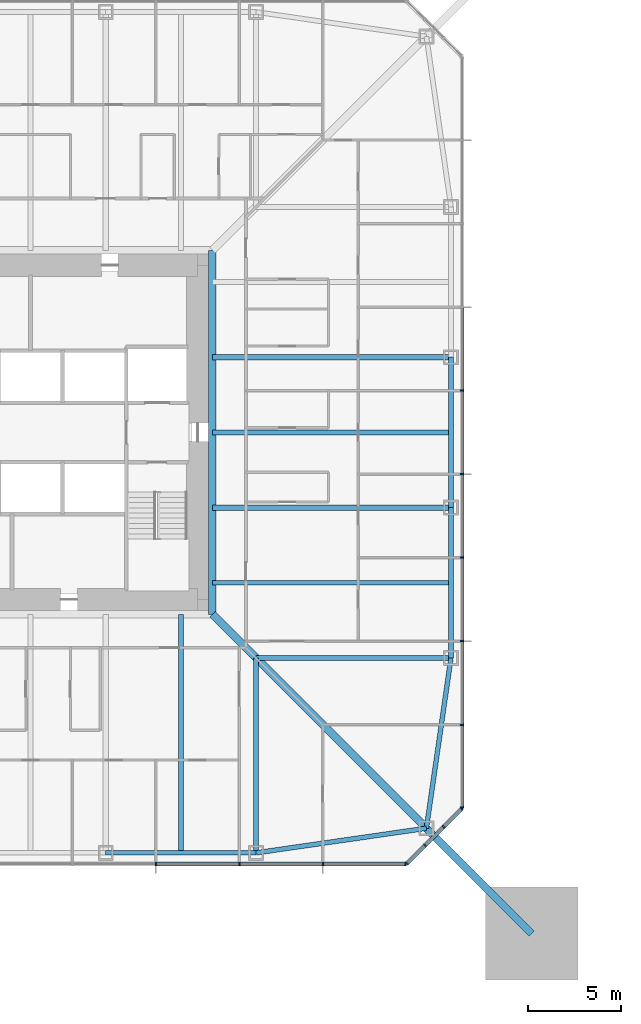
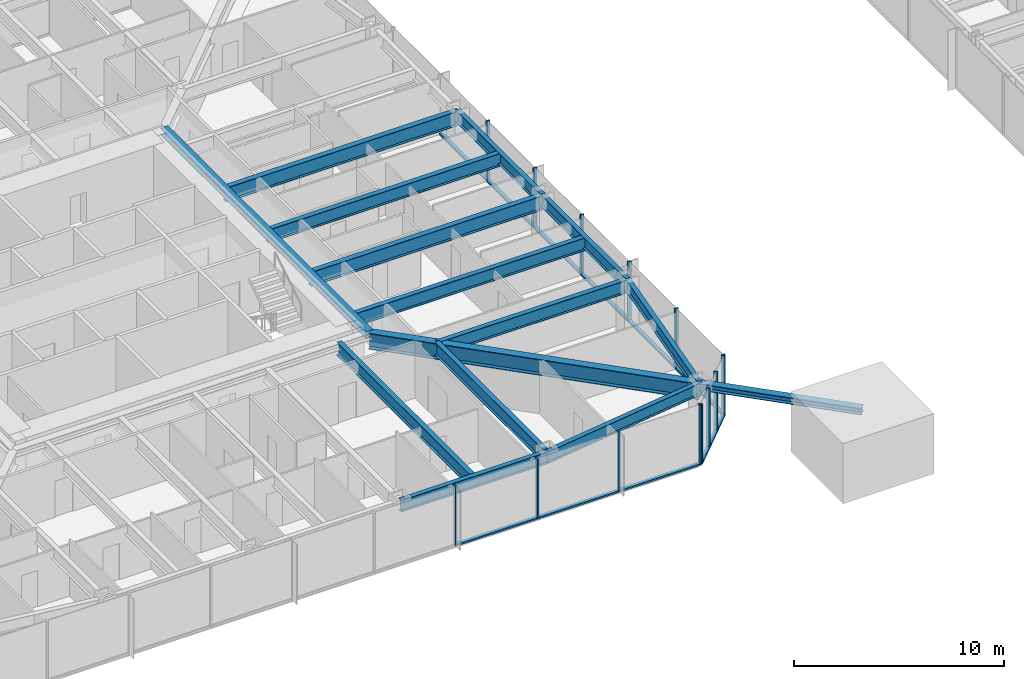
# One storey, part 5 of 26: 27 members, 14 beams, 3 elements without a shape of their own.
"""IFC4 building model written with IfcOpenShell, lengths in metres."""

from ifc_helpers import new_model, si_unit, direction, frame, origin, origin_2d, place, context, subcontext, project, spatial, rectangle, i_section, extrude, material, material_profile, profile_set, type_object, element, aggregate, save


model = new_model("IFC4")

# Units and contexts
model_context = context("Model", 3, precision=1e-05, world=origin(), true_north=direction((0.0, 1.0)))
body_context = subcontext(model_context, "Body", "Model", "MODEL_VIEW")
ifc_project = project(units=[si_unit("LENGTHUNIT", "METRE"), si_unit("AREAUNIT", "SQUARE_METRE"), si_unit("VOLUMEUNIT", "CUBIC_METRE"), si_unit("PLANEANGLEUNIT", "RADIAN"), si_unit("MASSUNIT", "GRAM", prefix="KILO")], contexts=[model_context])

# Site, building, storey
site_placement = place(None, origin())
site = spatial("IfcSite", under=ifc_project, at=site_placement, CompositionType="ELEMENT")
building_placement = place(site_placement, origin())
building = spatial("IfcBuilding", under=site, at=building_placement, Name="Iwan Alto Co-Living Towers", CompositionType="ELEMENT")
storey_placement = place(building_placement, frame((0.0, 0.0, 39.5)))
storey = spatial("IfcBuildingStorey", under=building, at=storey_placement, Name="L10", CompositionType="ELEMENT", Elevation=39.5)

# Curtain wall, members
ifc_material_1 = material(Name="Bronze aluminium unitised frame", Category="aluminium")
curtain_wall_type_1 = type_object("IfcCurtainWallType", Name="CURTAIN WALL CW-A", PredefinedType="NOTDEFINED", material=ifc_material_1)
curtain_wall_1_placement = place(storey_placement, origin())
curtain_wall_1 = element("IfcCurtainWall", 1, at=curtain_wall_1_placement, inside=storey, type_object=curtain_wall_type_1, Name="T1 curtain wall S L10", PredefinedType="NOTDEFINED")
ifc_material_2 = material(Name="Aluminium 6063-T6 bronze anodised", Category="aluminium")
ifc_material_profile_1 = material_profile(ifc_material_2, rectangle(XDim=0.199951171875, YDim=0.080078125, at=origin_2d()), Name="AL 80X200")
ifc_profile_set_1 = profile_set([ifc_material_profile_1], Name="Aluminium 6063-T6 bronze anodised")
member_type_1 = type_object("IfcMemberType", Name="CW-A MULLION 80X200", PredefinedType="MULLION", material=ifc_profile_set_1)
member_1_placement = place(storey_placement, frame((6.75, -23.25, 0.0), z_axis=(0.0, 0.0, 1.0), x_axis=(0.0, 1.0, 0.0)))
member_1 = element("IfcMember", 2, at=member_1_placement, type_object=member_type_1, Name="CW-A mullion 7", PredefinedType="MULLION", context=body_context, shape_type="SweptSolid", body=[
    extrude(rectangle(XDim=0.199951171875, YDim=0.080078125, at=origin_2d()), origin(), (0.0, 0.0, 1.0), 3.5),
])
member_2_placement = place(storey_placement, frame((11.25, -23.25, 0.0), z_axis=(0.0, 0.0, 1.0), x_axis=(0.0, 1.0, 0.0)))
member_2 = element("IfcMember", 3, at=member_2_placement, type_object=member_type_1, Name="CW-A mullion 8", PredefinedType="MULLION", context=body_context, shape_type="SweptSolid", body=[
    extrude(rectangle(XDim=0.199951171875, YDim=0.080078125, at=origin_2d()), origin(), (0.0, 0.0, 1.0), 3.5),
])
member_3_placement = place(storey_placement, frame((15.75, -23.25, 0.0), z_axis=(0.0, 0.0, 1.0), x_axis=(0.0, 1.0, 0.0)))
member_3 = element("IfcMember", 4, at=member_3_placement, type_object=member_type_1, Name="CW-A mullion 9", PredefinedType="MULLION", context=body_context, shape_type="SweptSolid", body=[
    extrude(rectangle(XDim=0.199951171875, YDim=0.080078125, at=origin_2d()), origin(), (0.0, 0.0, 1.0), 3.5),
])
member_4_placement = place(storey_placement, frame((20.2099609375, -23.25, 0.0), z_axis=(0.0, 0.0, 1.0), x_axis=(0.0, 1.0, 0.0)))
member_4 = element("IfcMember", 5, at=member_4_placement, type_object=member_type_1, Name="CW-A mullion 10", PredefinedType="MULLION", context=body_context, shape_type="SweptSolid", body=[
    extrude(rectangle(XDim=0.199951171875, YDim=0.080078125, at=origin_2d()), origin(), (0.0, 0.0, 1.0), 3.5),
])

curtain_wall_2_placement = place(storey_placement, origin())
curtain_wall_2 = element("IfcCurtainWall", 6, at=curtain_wall_2_placement, inside=storey, type_object=curtain_wall_type_1, Name="T1 curtain wall E L10", PredefinedType="NOTDEFINED")
member_5_placement = place(storey_placement, frame((23.25, -20.2099609375, 0.0), z_axis=(0.0, 0.0, 1.0), x_axis=(-1.0, 0.0, 0.0)))
member_5 = element("IfcMember", 7, at=member_5_placement, type_object=member_type_1, Name="CW-A mullion 1", PredefinedType="MULLION", context=body_context, shape_type="SweptSolid", body=[
    extrude(rectangle(XDim=0.199951171875, YDim=0.080078125, at=origin_2d()), origin(), (0.0, 0.0, 1.0), 3.5),
])
member_6_placement = place(storey_placement, frame((23.25, -15.75, 0.0), z_axis=(0.0, 0.0, 1.0), x_axis=(-1.0, 0.0, 0.0)))
member_6 = element("IfcMember", 8, at=member_6_placement, type_object=member_type_1, Name="CW-A mullion 2", PredefinedType="MULLION", context=body_context, shape_type="SweptSolid", body=[
    extrude(rectangle(XDim=0.199951171875, YDim=0.080078125, at=origin_2d()), origin(), (0.0, 0.0, 1.0), 3.5),
])
member_7_placement = place(storey_placement, frame((23.25, -11.25, 0.0), z_axis=(0.0, 0.0, 1.0), x_axis=(-1.0, 0.0, 0.0)))
member_7 = element("IfcMember", 9, at=member_7_placement, type_object=member_type_1, Name="CW-A mullion 3", PredefinedType="MULLION", context=body_context, shape_type="SweptSolid", body=[
    extrude(rectangle(XDim=0.199951171875, YDim=0.080078125, at=origin_2d()), origin(), (0.0, 0.0, 1.0), 3.5),
])
member_8_placement = place(storey_placement, frame((23.25, -6.75, 0.0), z_axis=(0.0, 0.0, 1.0), x_axis=(-1.0, 0.0, 0.0)))
member_8 = element("IfcMember", 10, at=member_8_placement, type_object=member_type_1, Name="CW-A mullion 4", PredefinedType="MULLION", context=body_context, shape_type="SweptSolid", body=[
    extrude(rectangle(XDim=0.199951171875, YDim=0.080078125, at=origin_2d()), origin(), (0.0, 0.0, 1.0), 3.5),
])
member_9_placement = place(storey_placement, frame((23.25, -2.25, 0.0), z_axis=(0.0, 0.0, 1.0), x_axis=(-1.0, 0.0, 0.0)))
member_9 = element("IfcMember", 11, at=member_9_placement, type_object=member_type_1, Name="CW-A mullion 5", PredefinedType="MULLION", context=body_context, shape_type="SweptSolid", body=[
    extrude(rectangle(XDim=0.199951171875, YDim=0.080078125, at=origin_2d()), origin(), (0.0, 0.0, 1.0), 3.5),
])
member_10_placement = place(storey_placement, frame((23.25, 2.25, 0.0), z_axis=(0.0, 0.0, 1.0), x_axis=(-1.0, 0.0, 0.0)))
member_10 = element("IfcMember", 12, at=member_10_placement, type_object=member_type_1, Name="CW-A mullion 6", PredefinedType="MULLION", context=body_context, shape_type="SweptSolid", body=[
    extrude(rectangle(XDim=0.199951171875, YDim=0.080078125, at=origin_2d()), origin(), (0.0, 0.0, 1.0), 3.5),
])

# Member
ifc_material_3 = material(Name="Aluminium 6063-T6 bronze anodised", Category="aluminium")
ifc_material_profile_2 = material_profile(ifc_material_3, rectangle(XDim=0.199951171875, YDim=0.10009765625, at=origin_2d()), Name="AL 200X100")
ifc_profile_set_2 = profile_set([ifc_material_profile_2], Name="Aluminium 6063-T6 bronze anodised")
member_type_2 = type_object("IfcMemberType", Name="CW-A TRANSOM 200X100", PredefinedType="USERDEFINED", material=ifc_profile_set_2)
member_11_placement = place(storey_placement, frame((6.7900390625, -23.25, 0.050048828125), z_axis=(1.0, 0.0, 0.0), x_axis=(0.0, 1.0, 0.0)))
member_11 = element("IfcMember", 13, at=member_11_placement, type_object=member_type_2, Name="CW-A transom 7.1", ObjectType="TRANSOM", PredefinedType="USERDEFINED", context=body_context, shape_type="SweptSolid", body=[
    extrude(rectangle(XDim=0.199951171875, YDim=0.10009765625, at=origin_2d()), origin(), (0.0, 0.0, 1.0), 4.419921875),
])

member_12_placement = place(storey_placement, frame((11.2900390625, -23.25, 0.050048828125), z_axis=(1.0, 0.0, 0.0), x_axis=(0.0, 1.0, 0.0)))
member_12 = element("IfcMember", 14, at=member_12_placement, type_object=member_type_2, Name="CW-A transom 8.1", ObjectType="TRANSOM", PredefinedType="USERDEFINED", context=body_context, shape_type="SweptSolid", body=[
    extrude(rectangle(XDim=0.199951171875, YDim=0.10009765625, at=origin_2d()), origin(), (0.0, 0.0, 1.0), 4.419921875),
])

member_13_placement = place(storey_placement, frame((15.7900390625, -23.25, 0.050048828125), z_axis=(1.0, 0.0, 0.0), x_axis=(0.0, 1.0, 0.0)))
member_13 = element("IfcMember", 15, at=member_13_placement, type_object=member_type_2, Name="CW-A transom 9.1", ObjectType="TRANSOM", PredefinedType="USERDEFINED", context=body_context, shape_type="SweptSolid", body=[
    extrude(rectangle(XDim=0.199951171875, YDim=0.10009765625, at=origin_2d()), origin(), (0.0, 0.0, 1.0), 4.3798828125),
])

aggregate(curtain_wall_1, [member_1, member_2, member_3, member_4, member_11, member_12, member_13])

member_14_placement = place(storey_placement, frame((23.25, -20.169921875, 0.050048828125), z_axis=(0.0, 1.0, 0.0), x_axis=(-1.0, 0.0, 0.0)))
member_14 = element("IfcMember", 16, at=member_14_placement, type_object=member_type_2, Name="CW-A transom 1.1", ObjectType="TRANSOM", PredefinedType="USERDEFINED", context=body_context, shape_type="SweptSolid", body=[
    extrude(rectangle(XDim=0.199951171875, YDim=0.10009765625, at=origin_2d()), origin(), (0.0, 0.0, 1.0), 4.3798828125),
])

member_15_placement = place(storey_placement, frame((23.25, -15.7099609375, 0.050048828125), z_axis=(0.0, 1.0, 0.0), x_axis=(-1.0, 0.0, 0.0)))
member_15 = element("IfcMember", 17, at=member_15_placement, type_object=member_type_2, Name="CW-A transom 2.1", ObjectType="TRANSOM", PredefinedType="USERDEFINED", context=body_context, shape_type="SweptSolid", body=[
    extrude(rectangle(XDim=0.199951171875, YDim=0.10009765625, at=origin_2d()), origin(), (0.0, 0.0, 1.0), 4.419921875),
])

member_16_placement = place(storey_placement, frame((23.25, -11.2099609375, 0.050048828125), z_axis=(0.0, 1.0, 0.0), x_axis=(-1.0, 0.0, 0.0)))
member_16 = element("IfcMember", 18, at=member_16_placement, type_object=member_type_2, Name="CW-A transom 3.1", ObjectType="TRANSOM", PredefinedType="USERDEFINED", context=body_context, shape_type="SweptSolid", body=[
    extrude(rectangle(XDim=0.199951171875, YDim=0.10009765625, at=origin_2d()), origin(), (0.0, 0.0, 1.0), 4.419921875),
])

member_17_placement = place(storey_placement, frame((23.25, -6.7099609375, 0.050048828125), z_axis=(0.0, 1.0, 0.0), x_axis=(-1.0, 0.0, 0.0)))
member_17 = element("IfcMember", 19, at=member_17_placement, type_object=member_type_2, Name="CW-A transom 4.1", ObjectType="TRANSOM", PredefinedType="USERDEFINED", context=body_context, shape_type="SweptSolid", body=[
    extrude(rectangle(XDim=0.199951171875, YDim=0.10009765625, at=origin_2d()), origin(), (0.0, 0.0, 1.0), 4.419921875),
])

member_18_placement = place(storey_placement, frame((23.25, -2.2099609375, 0.050048828125), z_axis=(0.0, 1.0, 0.0), x_axis=(-1.0, 0.0, 0.0)))
member_18 = element("IfcMember", 20, at=member_18_placement, type_object=member_type_2, Name="CW-A transom 5.1", ObjectType="TRANSOM", PredefinedType="USERDEFINED", context=body_context, shape_type="SweptSolid", body=[
    extrude(rectangle(XDim=0.199951171875, YDim=0.10009765625, at=origin_2d()), origin(), (0.0, 0.0, 1.0), 4.419921875),
])

member_19_placement = place(storey_placement, frame((23.25, 2.2900390625, 0.050048828125), z_axis=(0.0, 1.0, 0.0), x_axis=(-1.0, 0.0, 0.0)))
member_19 = element("IfcMember", 21, at=member_19_placement, type_object=member_type_2, Name="CW-A transom 6.1", ObjectType="TRANSOM", PredefinedType="USERDEFINED", context=body_context, shape_type="SweptSolid", body=[
    extrude(rectangle(XDim=0.199951171875, YDim=0.10009765625, at=origin_2d()), origin(), (0.0, 0.0, 1.0), 4.419921875),
])

aggregate(curtain_wall_2, [member_5, member_6, member_7, member_8, member_9, member_10, member_14, member_15, member_16, member_17, member_18, member_19])

# Curtain wall, members
ifc_material_4 = material(Name="Bronze aluminium unitised frame", Category="aluminium")
curtain_wall_type_2 = type_object("IfcCurtainWallType", Name="CURTAIN WALL CW-B", PredefinedType="NOTDEFINED", material=ifc_material_4)
curtain_wall_3_placement = place(storey_placement, origin())
curtain_wall_3 = element("IfcCurtainWall", 22, at=curtain_wall_3_placement, inside=storey, type_object=curtain_wall_type_2, Name="T1 chamfer curtain wall SE L10", PredefinedType="NOTDEFINED")
ifc_material_5 = material(Name="Aluminium 6063-T6 bronze anodised", Category="aluminium")
ifc_material_profile_3 = material_profile(ifc_material_5, rectangle(XDim=0.199951171875, YDim=0.080078125, at=origin_2d()), Name="AL 80X200")
ifc_profile_set_3 = profile_set([ifc_material_profile_3], Name="Aluminium 6063-T6 bronze anodised")
member_type_3 = type_object("IfcMemberType", Name="CW-B MULLION 80X200", PredefinedType="MULLION", material=ifc_profile_set_3)
member_20_placement = place(storey_placement, frame((20.2783203125, -23.2216796875, 0.0), z_axis=(0.0, 0.0, 1.0), x_axis=(-0.707106781187, 0.707106781187, 0.0)))
member_20 = element("IfcMember", 23, at=member_20_placement, type_object=member_type_3, Name="CW-B mullion 1", PredefinedType="MULLION", context=body_context, shape_type="SweptSolid", body=[
    extrude(rectangle(XDim=0.199951171875, YDim=0.080078125, at=origin_2d()), origin(), (0.0, 0.0, 1.0), 3.5),
])
member_21_placement = place(storey_placement, frame((21.25, -22.25, 0.0), z_axis=(0.0, 0.0, 1.0), x_axis=(-0.707106781187, 0.707106781187, 0.0)))
member_21 = element("IfcMember", 24, at=member_21_placement, type_object=member_type_3, Name="CW-B mullion 2", PredefinedType="MULLION", context=body_context, shape_type="SweptSolid", body=[
    extrude(rectangle(XDim=0.199951171875, YDim=0.080078125, at=origin_2d()), origin(), (0.0, 0.0, 1.0), 3.5),
])
member_22_placement = place(storey_placement, frame((22.25, -21.25, 0.0), z_axis=(0.0, 0.0, 1.0), x_axis=(-0.707106781187, 0.707106781187, 0.0)))
member_22 = element("IfcMember", 25, at=member_22_placement, type_object=member_type_3, Name="CW-B mullion 3", PredefinedType="MULLION", context=body_context, shape_type="SweptSolid", body=[
    extrude(rectangle(XDim=0.199951171875, YDim=0.080078125, at=origin_2d()), origin(), (0.0, 0.0, 1.0), 3.5),
])
member_23_placement = place(storey_placement, frame((23.2216796875, -20.2783203125, 0.0), z_axis=(0.0, 0.0, 1.0), x_axis=(-0.707106781187, 0.707106781187, 0.0)))
member_23 = element("IfcMember", 26, at=member_23_placement, type_object=member_type_3, Name="CW-B mullion 4", PredefinedType="MULLION", context=body_context, shape_type="SweptSolid", body=[
    extrude(rectangle(XDim=0.199951171875, YDim=0.080078125, at=origin_2d()), origin(), (0.0, 0.0, 1.0), 3.5),
])
ifc_material_6 = material(Name="Aluminium 6063-T6 bronze anodised", Category="aluminium")
ifc_material_profile_4 = material_profile(ifc_material_6, rectangle(XDim=0.199951171875, YDim=0.10009765625, at=origin_2d()), Name="AL 200X100")
ifc_profile_set_4 = profile_set([ifc_material_profile_4], Name="Aluminium 6063-T6 bronze anodised")
member_type_4 = type_object("IfcMemberType", Name="CW-B TRANSOM 200X100", PredefinedType="USERDEFINED", material=ifc_profile_set_4)
member_24_placement = place(storey_placement, frame((20.306640625, -23.193359375, 0.050048828125), z_axis=(0.707106781187, 0.707106781187, 0.0), x_axis=(-0.707106781187, 0.707106781187, 0.0)))
member_24 = element("IfcMember", 27, at=member_24_placement, type_object=member_type_4, Name="CW-B transom 1.1", ObjectType="TRANSOM", PredefinedType="USERDEFINED", context=body_context, shape_type="SweptSolid", body=[
    extrude(rectangle(XDim=0.199951171875, YDim=0.10009765625, at=origin_2d()), origin(), (0.0, 0.0, 1.0), 1.2939453125),
])
member_25_placement = place(storey_placement, frame((21.2783203125, -22.2216796875, 0.050048828125), z_axis=(0.707106781187, 0.707106781187, 0.0), x_axis=(-0.707106781187, 0.707106781187, 0.0)))
member_25 = element("IfcMember", 28, at=member_25_placement, type_object=member_type_4, Name="CW-B transom 2.1", ObjectType="TRANSOM", PredefinedType="USERDEFINED", context=body_context, shape_type="SweptSolid", body=[
    extrude(rectangle(XDim=0.199951171875, YDim=0.10009765625, at=origin_2d()), origin(), (0.0, 0.0, 1.0), 1.334228515625),
])
member_26_placement = place(storey_placement, frame((22.2783203125, -21.2216796875, 0.050048828125), z_axis=(0.707106781187, 0.707106781187, 0.0), x_axis=(-0.707106781187, 0.707106781187, 0.0)))
member_26 = element("IfcMember", 29, at=member_26_placement, type_object=member_type_4, Name="CW-B transom 3.1", ObjectType="TRANSOM", PredefinedType="USERDEFINED", context=body_context, shape_type="SweptSolid", body=[
    extrude(rectangle(XDim=0.199951171875, YDim=0.10009765625, at=origin_2d()), origin(), (0.0, 0.0, 1.0), 1.2939453125),
])
aggregate(curtain_wall_3, [member_20, member_21, member_22, member_23, member_24, member_25, member_26])

# Beams
ifc_material_7 = material(Name="Steel ASTM A992 Gr 50", Category="steel")
ifc_material_profile_5 = material_profile(ifc_material_7, i_section(OverallWidth=0.40380859375, OverallDepth=0.406494140625, WebThickness=0.027099609375, FlangeThickness=0.043701171875, at=origin_2d()), Name="W14X233")
ifc_profile_set_5 = profile_set([ifc_material_profile_5], Name="Steel ASTM A992 Gr 50")
beam_type_1 = type_object("IfcBeamType", Name="T1 CORE LEDGER BEAM W14X233", PredefinedType="BEAM", material=ifc_profile_set_5)
beam_1_placement = place(storey_placement, frame((9.802001953125, -9.802001953125, 3.06689453125), z_axis=(0.0, 1.0, 0.0), x_axis=(-1.0, 0.0, 0.0)))
element("IfcBeam", 30, at=beam_1_placement, inside=storey, type_object=beam_type_1, Name="T1 core ledger beam E L11", PredefinedType="BEAM", context=body_context, shape_type="SweptSolid", body=[
    extrude(i_section(OverallWidth=0.40380859375, OverallDepth=0.406494140625, WebThickness=0.027099609375, FlangeThickness=0.043701171875, at=origin_2d()), origin(), (0.0, 0.0, 1.0), 19.60400390625),
])
ifc_material_8 = material(Name="Steel ASTM A992 Gr 50", Category="steel")
ifc_material_profile_6 = material_profile(ifc_material_8, i_section(OverallWidth=0.419189453125, OverallDepth=0.927001953125, WebThickness=0.019287109375, FlangeThickness=0.031982421875, at=origin_2d()), Name="W36X231")
ifc_profile_set_6 = profile_set([ifc_material_profile_6], Name="Steel ASTM A992 Gr 50")
beam_type_2 = type_object("IfcBeamType", Name="T1 CORNER GIRDER W36X231", PredefinedType="BEAM", material=ifc_profile_set_6)
beam_2_placement = place(storey_placement, frame((21.32568359375, -21.32568359375, 2.806396484375), z_axis=(-0.707106781187, 0.707106781187, 0.0), x_axis=(-0.707106781187, -0.707106781187, 0.0)))
element("IfcBeam", 31, at=beam_2_placement, inside=storey, type_object=beam_type_2, Name="T1 corner girder CSE L11", PredefinedType="BEAM", context=body_context, shape_type="SweptSolid", body=[
    extrude(i_section(OverallWidth=0.419189453125, OverallDepth=0.927001953125, WebThickness=0.019287109375, FlangeThickness=0.031982421875, at=origin_2d()), origin(), (0.0, 0.0, 1.0), 16.296875),
])
ifc_material_9 = material(Name="Steel ASTM A992 Gr 50", Category="steel")
ifc_material_profile_7 = material_profile(ifc_material_9, i_section(OverallWidth=0.25390625, OverallDepth=0.683349609375, WebThickness=0.012451171875, FlangeThickness=0.018798828125, at=origin_2d()), Name="W27X94")
ifc_profile_set_7 = profile_set([ifc_material_profile_7], Name="Steel ASTM A992 Gr 50")
beam_type_3 = type_object("IfcBeamType", Name="T1 EDGE BEAM W27X94", PredefinedType="BEAM", material=ifc_profile_set_7)
beam_3_placement = place(storey_placement, frame((4.050048828125, -22.64990234375, 2.928466796875), z_axis=(1.0, 0.0, 0.0), x_axis=(0.0, 1.0, 0.0)))
element("IfcBeam", 32, at=beam_3_placement, inside=storey, type_object=beam_type_3, Name="T1 edge beam S3 L11", PredefinedType="BEAM", context=body_context, shape_type="SweptSolid", body=[
    extrude(i_section(OverallWidth=0.25390625, OverallDepth=0.683349609375, WebThickness=0.012451171875, FlangeThickness=0.018798828125, at=origin_2d()), origin(), (0.0, 0.0, 1.0), 8.099853515625),
])
for number, where, z_axis, x_axis, name in (
    (33, (12.14990234375, -22.64990234375, 2.928466796875), (0.989746234347, 0.142836940589, 0.0), (-0.142836940589, 0.989746234347, 0.0), "T1 edge beam S4 L11"),
    (34, (21.32568359375, -21.32568359375, 2.928466796875), (0.142836940589, 0.989746234347, 0.0), (-0.989746234347, 0.142836940589, 0.0), "T1 edge beam CSE L11"),
):
    element("IfcBeam", number, at=place(storey_placement, frame(where, z_axis=z_axis, x_axis=x_axis)), inside=storey, type_object=beam_type_3, Name=name, PredefinedType="BEAM", context=body_context, shape_type="SweptSolid", body=[
        extrude(i_section(OverallWidth=0.25390625, OverallDepth=0.683349609375, WebThickness=0.012451171875, FlangeThickness=0.018798828125, at=origin_2d()), origin(), (0.0, 0.0, 1.0), 9.270751953125),
    ])
beam_4_placement = place(storey_placement, frame((22.64990234375, -12.14990234375, 2.928466796875), z_axis=(0.0, 1.0, 0.0), x_axis=(-1.0, 0.0, 0.0)))
element("IfcBeam", 35, at=beam_4_placement, inside=storey, type_object=beam_type_3, Name="T1 edge beam E1 L11", PredefinedType="BEAM", context=body_context, shape_type="SweptSolid", body=[
    extrude(i_section(OverallWidth=0.25390625, OverallDepth=0.683349609375, WebThickness=0.012451171875, FlangeThickness=0.018798828125, at=origin_2d()), origin(), (0.0, 0.0, 1.0), 8.099853515625),
])
beam_5_placement = place(storey_placement, frame((22.64990234375, -4.050048828125, 2.928466796875), z_axis=(0.0, 1.0, 0.0), x_axis=(-1.0, 0.0, 0.0)))
element("IfcBeam", 36, at=beam_5_placement, inside=storey, type_object=beam_type_3, Name="T1 edge beam E2 L11", PredefinedType="BEAM", context=body_context, shape_type="SweptSolid", body=[
    extrude(i_section(OverallWidth=0.25390625, OverallDepth=0.683349609375, WebThickness=0.012451171875, FlangeThickness=0.018798828125, at=origin_2d()), origin(), (0.0, 0.0, 1.0), 8.10009765625),
])

# Member
ifc_material_10 = material(Name="Steel ASTM A992 Gr 50", Category="steel")
ifc_material_profile_8 = material_profile(ifc_material_10, i_section(OverallWidth=0.393798828125, OverallDepth=0.3759765625, WebThickness=0.017333984375, FlangeThickness=0.027587890625, at=origin_2d()), Name="W14X145")
ifc_profile_set_8 = profile_set([ifc_material_profile_8], Name="Steel ASTM A992 Gr 50")
member_type_5 = type_object("IfcMemberType", Name="T1 MEGA COLUMN FLOOR TIE W14X145", PredefinedType="STRUT", material=ifc_profile_set_8)
member_27_placement = place(storey_placement, frame((27.0, -27.0, 3.08203125), z_axis=(-0.707106781187, 0.707106781187, 0.0), x_axis=(-0.707106781187, -0.707106781187, 0.0)))
element("IfcMember", 37, at=member_27_placement, inside=storey, type_object=member_type_5, Name="T1 mega column floor tie SE L11", PredefinedType="STRUT", context=body_context, shape_type="SweptSolid", body=[
    extrude(i_section(OverallWidth=0.393798828125, OverallDepth=0.3759765625, WebThickness=0.017333984375, FlangeThickness=0.027587890625, at=origin_2d()), origin(), (0.0, 0.0, 1.0), 8.024658203125),
])

# Beams
ifc_material_11 = material(Name="Steel ASTM A992 Gr 50", Category="steel")
ifc_material_profile_9 = material_profile(ifc_material_11, i_section(OverallWidth=0.2666015625, OverallDepth=0.761962890625, WebThickness=0.014404296875, FlangeThickness=0.021484375, at=origin_2d()), Name="W30X116")
ifc_profile_set_9 = profile_set([ifc_material_profile_9], Name="Steel ASTM A992 Gr 50")
beam_type_4 = type_object("IfcBeamType", Name="T1 RADIAL BEAM W30X116", PredefinedType="BEAM", material=ifc_profile_set_9)
for number, where, z_axis, x_axis, name in (
    (38, (12.14990234375, -22.64990234375, 2.888916015625), (0.0, 1.0, 0.0), (-1.0, 0.0, 0.0), "T1 radial beam S4 L11"),
    (39, (22.64990234375, -12.14990234375, 2.888916015625), (-1.0, 0.0, 0.0), (0.0, -1.0, 0.0), "T1 radial beam E1 L11"),
):
    element("IfcBeam", number, at=place(storey_placement, frame(where, z_axis=z_axis, x_axis=x_axis)), inside=storey, type_object=beam_type_4, Name=name, PredefinedType="BEAM", context=body_context, shape_type="SweptSolid", body=[
        extrude(i_section(OverallWidth=0.2666015625, OverallDepth=0.761962890625, WebThickness=0.014404296875, FlangeThickness=0.021484375, at=origin_2d()), origin(), (0.0, 0.0, 1.0), 10.5),
    ])
ifc_material_12 = material(Name="Steel ASTM A992 Gr 50", Category="steel")
ifc_material_profile_10 = material_profile(ifc_material_12, i_section(OverallWidth=0.2919921875, OverallDepth=0.8408203125, WebThickness=0.0146484375, FlangeThickness=0.021728515625, at=origin_2d()), Name="W33X130")
ifc_profile_set_10 = profile_set([ifc_material_profile_10], Name="Steel ASTM A992 Gr 50")
beam_type_5 = type_object("IfcBeamType", Name="T1 RADIAL BEAM W33X130", PredefinedType="BEAM", material=ifc_profile_set_10)
for number, where, z_axis, x_axis, name in (
    (40, (22.64990234375, -4.050048828125, 2.849609375), (-1.0, 0.0, 0.0), (0.0, -1.0, 0.0), "T1 radial beam E2 L11"),
    (41, (22.64990234375, 4.050048828125, 2.849609375), (-1.0, 0.0, 0.0), (0.0, -1.0, 0.0), "T1 radial beam E3 L11"),
):
    element("IfcBeam", number, at=place(storey_placement, frame(where, z_axis=z_axis, x_axis=x_axis)), inside=storey, type_object=beam_type_5, Name=name, PredefinedType="BEAM", context=body_context, shape_type="SweptSolid", body=[
        extrude(i_section(OverallWidth=0.2919921875, OverallDepth=0.8408203125, WebThickness=0.0146484375, FlangeThickness=0.021728515625, at=origin_2d()), origin(), (0.0, 0.0, 1.0), 12.847900390625),
    ])
ifc_material_13 = material(Name="Steel ASTM A992 Gr 50", Category="steel")
ifc_material_profile_11 = material_profile(ifc_material_13, i_section(OverallWidth=0.2666015625, OverallDepth=0.761962890625, WebThickness=0.014404296875, FlangeThickness=0.021484375, at=origin_2d()), Name="W30X116")
ifc_profile_set_11 = profile_set([ifc_material_profile_11], Name="Steel ASTM A992 Gr 50")
beam_type_6 = type_object("IfcBeamType", Name="T1 SECONDARY BEAM W30X116", PredefinedType="JOIST", material=ifc_profile_set_11)
for number, where, z_axis, x_axis, name in (
    (42, (8.10009765625, -22.64990234375, 2.888916015625), (0.0, 1.0, 0.0), (-1.0, 0.0, 0.0), "T1 secondary beam S3 L11"),
    (43, (22.64990234375, -8.10009765625, 2.888916015625), (-1.0, 0.0, 0.0), (0.0, -1.0, 0.0), "T1 secondary beam E1 L11"),
    (44, (22.64990234375, 0.0, 2.888916015625), (-1.0, 0.0, 0.0), (0.0, -1.0, 0.0), "T1 secondary beam E2 L11"),
):
    element("IfcBeam", number, at=place(storey_placement, frame(where, z_axis=z_axis, x_axis=x_axis)), inside=storey, type_object=beam_type_6, Name=name, PredefinedType="JOIST", context=body_context, shape_type="SweptSolid", body=[
        extrude(i_section(OverallWidth=0.2666015625, OverallDepth=0.761962890625, WebThickness=0.014404296875, FlangeThickness=0.021484375, at=origin_2d()), origin(), (0.0, 0.0, 1.0), 12.847900390625),
    ])

save(model, "model.ifc")
